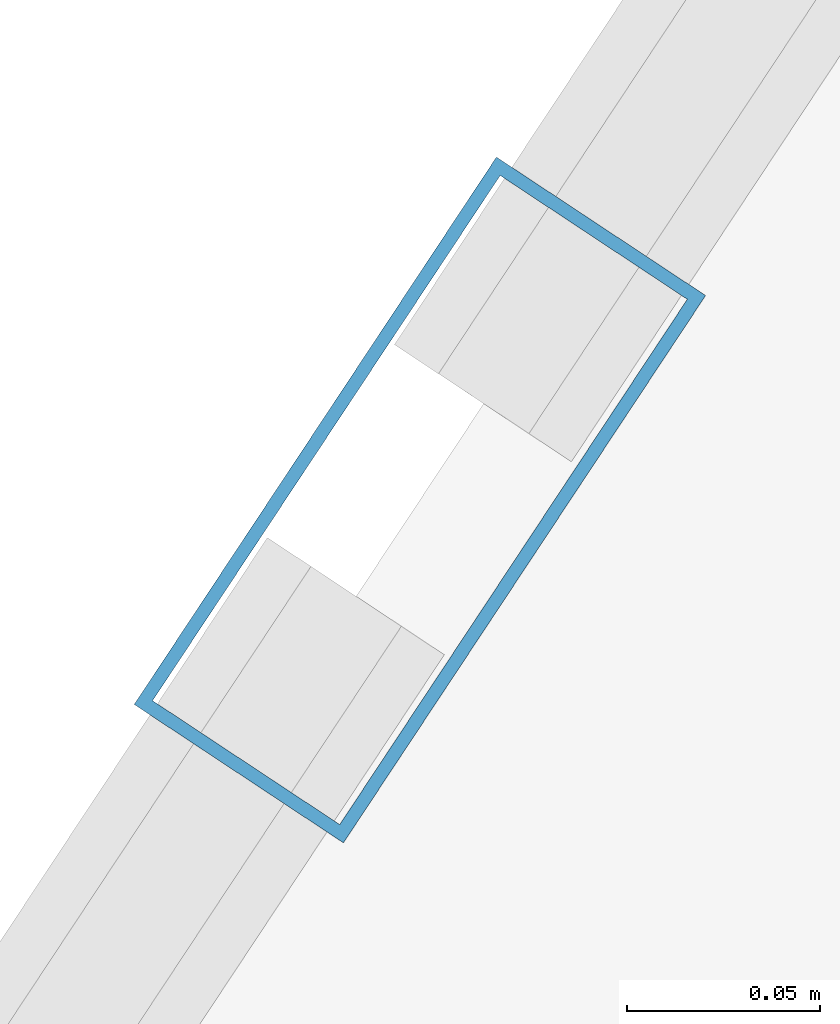
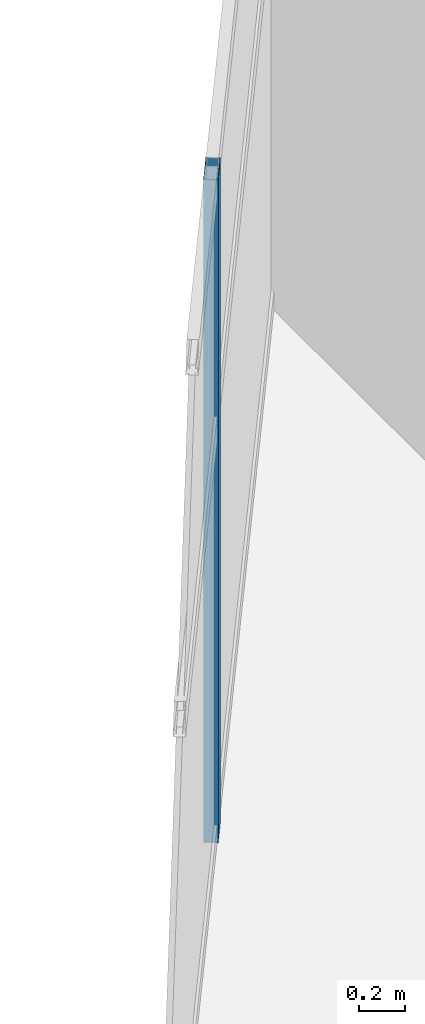
# One storey, part 12 of 27: 1 member, 1 element without a shape of its own.
"""IFC4 building model written with IfcOpenShell, lengths in metres."""

from ifc_helpers import new_model, si_unit, direction, frame, origin, origin_2d, place, context, subcontext, project, spatial, hollow_rectangle, extrude, material, layer, layer_set, material_profile, profile_set, type_object, element, aggregate, save


model = new_model("IFC4")

# Units and contexts
model_context = context("Model", 3, precision=1e-05, world=origin(), true_north=direction((0.0, 1.0)))
body_context = subcontext(model_context, "Body", "Model", "MODEL_VIEW")
ifc_project = project(units=[si_unit("LENGTHUNIT", "METRE"), si_unit("AREAUNIT", "SQUARE_METRE"), si_unit("VOLUMEUNIT", "CUBIC_METRE"), si_unit("PLANEANGLEUNIT", "RADIAN"), si_unit("MASSUNIT", "GRAM", prefix="KILO")], contexts=[model_context])

# Site, building, storey
site_placement = place(None, origin())
site = spatial("IfcSite", under=ifc_project, at=site_placement, CompositionType="ELEMENT")
building_placement = place(site_placement, origin())
building = spatial("IfcBuilding", under=site, at=building_placement, Name="Calvorn Quay Hotel", CompositionType="ELEMENT")
storey_placement = place(building_placement, frame((0.0, 0.0, 278.699951171875)))
storey = spatial("IfcBuildingStorey", under=building, at=storey_placement, Name="L69", CompositionType="ELEMENT", Elevation=278.699951171875)

# Curtain wall, member
ifc_material_1 = material(Name="Champagne Bronze Anodised Aluminium and Low-E Glass", Category="aluminium")
ifc_layer = layer(ifc_material_1, 0.219970703125)
ifc_layer_set = layer_set([ifc_layer], Name="CW-SYS-Z4")
curtain_wall_type = type_object("IfcCurtainWallType", Name="CW-SYS-Z4", PredefinedType="NOTDEFINED", material=ifc_layer_set)
curtain_wall_placement = place(storey_placement, origin())
curtain_wall = element("IfcCurtainWall", 1, at=curtain_wall_placement, inside=storey, type_object=curtain_wall_type, Name="Inner Court Curtain Wall L69-NE1", PredefinedType="NOTDEFINED")
ifc_material_2 = material(Name="Champagne Bronze Anodised Aluminium 6063-T6", Category="aluminium")
ifc_material_profile = material_profile(ifc_material_2, hollow_rectangle(XDim=0.06494140625, YDim=0.169921875, WallThickness=0.00341796875, at=origin_2d()), Name="ALU-M170x65x3.5")
ifc_profile_set = profile_set([ifc_material_profile], Name="Champagne Bronze Anodised Aluminium 6063-T6")
member_type = type_object("IfcMemberType", Name="CW-SYS-Z4-MUL", PredefinedType="MULLION", material=ifc_profile_set)
member_placement = place(storey_placement, frame((26.10009765625, 31.199951171875, 0.0), z_axis=(0.0, 0.0, 1.0), x_axis=(0.833932205724, -0.551866900852, 0.0)))
member = element("IfcMember", 2, at=member_placement, type_object=member_type, Name="CW-L69-NE1 mullion 2", PredefinedType="MULLION", context=body_context, shape_type="SweptSolid", body=[
    extrude(hollow_rectangle(XDim=0.06494140625, YDim=0.169921875, WallThickness=0.00341796875, at=origin_2d()), origin(), (0.0, 0.0, 1.0), 3.52001953125),
])
aggregate(curtain_wall, [member])

save(model, "model.ifc")
